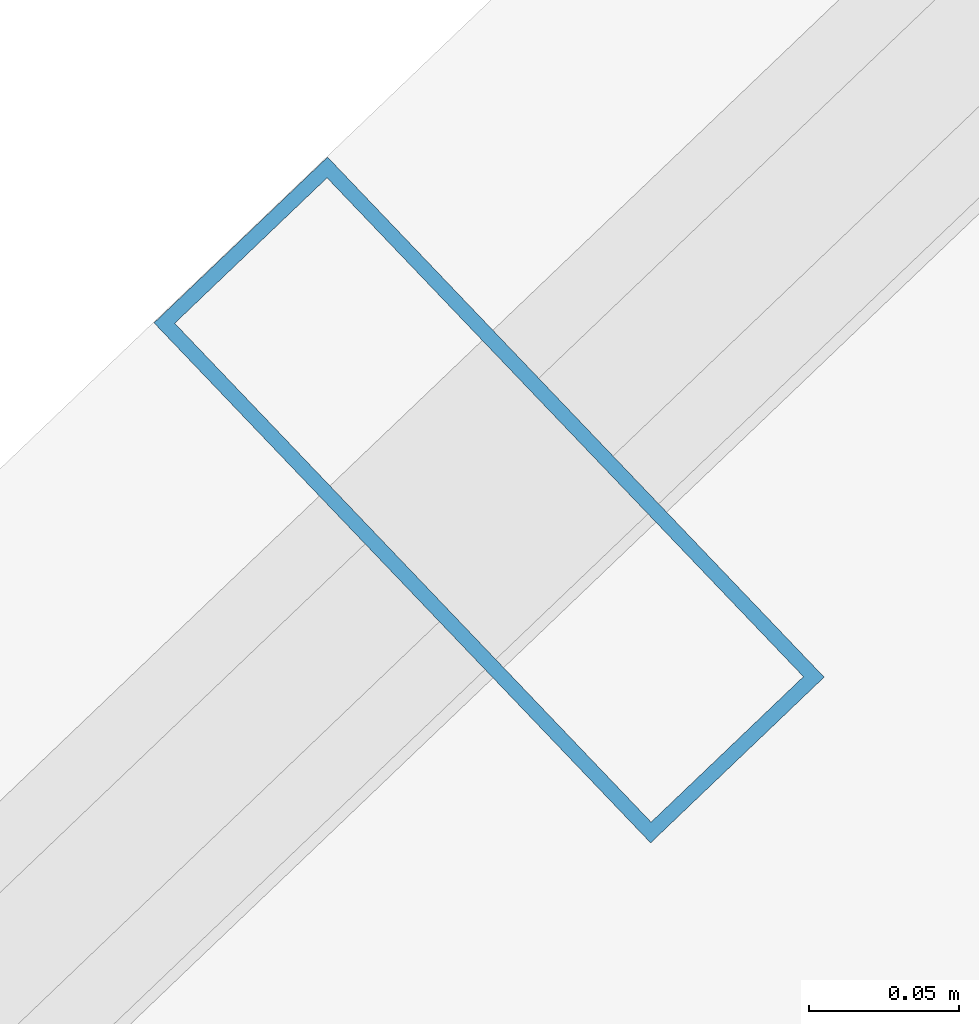
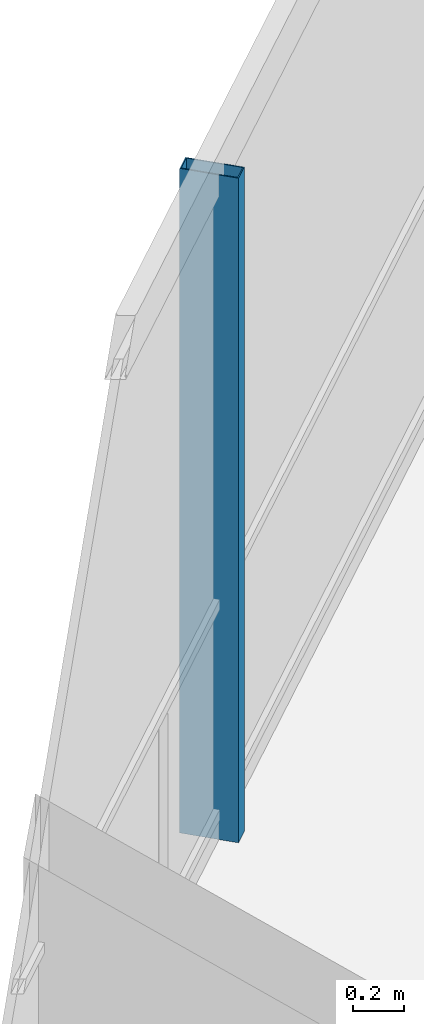
# One storey, part 8 of 19: 1 member, 1 element without a shape of its own.
"""IFC4 building model written with IfcOpenShell, lengths in metres."""

import ifcopenshell
import ifcopenshell.guid

model = None  # the IFC model being written
_history = None  # IfcOwnerHistory: only IFC2X3 demands one
_inside = {}  # id of a spatial element -> (the spatial element, [elements in it])
_under = {}  # id of a project, library or spatial element -> (it, [spatial elements below it])
_declared = {}  # id of a project -> (the project, [libraries it declares])
_typed = {}  # id of a type object -> (the type object, [elements of that type])
_made_of = {}  # id of a material, layer set ... -> (it, [elements and type objects made of it])


def new_model(schema):
    """Start an empty IFC model of exactly this schema.

    Asked for "IFC4X3", IfcOpenShell would pick the latest addendum, in which some entities
    have other attributes; the version numbers below select the first issue.
    IFC2X3 requires an IfcOwnerHistory on every rooted entity: one is made here for all.
    """
    global model, _history
    if schema == "IFC4X3":
        model = ifcopenshell.file(schema_version=(4, 3, 0, 0))
    else:
        model = ifcopenshell.file(schema=schema)
    _inside.clear()
    _under.clear()
    _declared.clear()
    _typed.clear()
    _made_of.clear()
    _history = None
    if model.schema == "IFC2X3":
        org = make("IfcOrganization", Name="unknown")
        user = make(
            "IfcPersonAndOrganization",
            ThePerson=make("IfcPerson", FamilyName="unknown"),
            TheOrganization=org,
        )
        app = make(
            "IfcApplication",
            ApplicationDeveloper=org,
            Version="unknown",
            ApplicationFullName="unknown",
            ApplicationIdentifier="unknown",
        )
        _history = make(
            "IfcOwnerHistory",
            OwningUser=user,
            OwningApplication=app,
            ChangeAction="ADDED",
            CreationDate=0,
        )
    return model


def make(cls, **values):
    """One entity of the class cls with the attributes given. An attribute that is None is left unset."""
    return model.create_entity(
        cls, **{name: value for name, value in values.items() if value is not None}
    )


def rooted(cls, **values):
    """An entity with a GlobalId (a new one), such as an element, a storey or a relation."""
    return make(cls, GlobalId=ifcopenshell.guid.new(), OwnerHistory=_history, **values)


def si_unit(unit_type, name, prefix=None):
    """IfcSIUnit, for example si_unit("LENGTHUNIT", "METRE", prefix="MILLI")."""
    return make("IfcSIUnit", UnitType=unit_type, Prefix=prefix, Name=name)


def assignment(units):
    """IfcUnitAssignment: the units of a project."""
    return None if units is None else make("IfcUnitAssignment", Units=units)


def point(xyz):
    """IfcCartesianPoint."""
    return None if xyz is None else make("IfcCartesianPoint", Coordinates=xyz)


def direction(xyz):
    """IfcDirection."""
    return None if xyz is None else make("IfcDirection", DirectionRatios=xyz)


def frame(location, z_axis=None, x_axis=None):
    """IfcAxis2Placement3D, a coordinate frame: its origin and axes. An axis left out is left unset."""
    return make(
        "IfcAxis2Placement3D",
        Location=point(location),
        Axis=direction(z_axis),
        RefDirection=direction(x_axis),
    )


def frame_2d(location, x_axis=None):
    """IfcAxis2Placement2D, a coordinate frame in the plane: its origin and x axis."""
    return make(
        "IfcAxis2Placement2D", Location=point(location), RefDirection=direction(x_axis)
    )


def origin():
    """The frame at (0, 0, 0) with its axes left unset."""
    return frame((0.0, 0.0, 0.0))


def origin_2d():
    """The frame at (0, 0) in the plane with its x axis left unset."""
    return frame_2d((0.0, 0.0))


def place(relative_to, where):
    """IfcLocalPlacement: puts the frame where relative to a parent placement (None: the world)."""
    return make(
        "IfcLocalPlacement", PlacementRelTo=relative_to, RelativePlacement=where
    )


def context(
    kind, dimensions, precision=None, world=None, true_north=None, identifier=None
):
    """IfcGeometricRepresentationContext, for example the 3D "Model" context."""
    return make(
        "IfcGeometricRepresentationContext",
        ContextIdentifier=identifier,
        ContextType=kind,
        CoordinateSpaceDimension=dimensions,
        Precision=precision,
        WorldCoordinateSystem=world,
        TrueNorth=true_north,
    )


def subcontext(parent, identifier, kind, view, scale=None):
    """IfcGeometricRepresentationSubContext, for example "Body" below "Model"."""
    return make(
        "IfcGeometricRepresentationSubContext",
        ContextIdentifier=identifier,
        ContextType=kind,
        ParentContext=parent,
        TargetScale=scale,
        TargetView=view,
    )


def project(units=None, contexts=None):
    """IfcProject with its units and contexts."""
    return rooted(
        "IfcProject",
        Name="project",
        RepresentationContexts=contexts,
        UnitsInContext=assignment(units),
    )


def spatial(cls, under=None, at=None, **own):
    """A site, building, storey or space (cls), placed at a placement, below another one or the project."""
    s = rooted(cls, ObjectPlacement=at, **own)
    if under is not None:
        _under.setdefault(under.id(), (under, []))[1].append(s)
    return s


def profile(cls, at=None, kind="AREA", **sizes):
    """A parametric profile (cls). Its sizes go by their IFC names, for example OverallWidth=200.0."""
    return make(cls, ProfileType=kind, Position=at, **sizes)


def hollow_rectangle(**sizes):
    """IfcRectangleHollowProfileDef."""
    return profile("IfcRectangleHollowProfileDef", **sizes)


def extrude(swept, where, along, depth):
    """IfcExtrudedAreaSolid: the profile swept, set in the frame where, extruded along a direction by depth."""
    return make(
        "IfcExtrudedAreaSolid",
        SweptArea=swept,
        Position=where,
        ExtrudedDirection=direction(along),
        Depth=depth,
    )


def shape(context_of_items, identifier, shape_type, items):
    """IfcShapeRepresentation: the items that make up one representation, for example the "Body"."""
    return make(
        "IfcShapeRepresentation",
        ContextOfItems=context_of_items,
        RepresentationIdentifier=identifier,
        RepresentationType=shape_type,
        Items=items,
    )


def material(Name=None, Category=None):
    """IfcMaterial."""
    return make("IfcMaterial", Name=Name, Category=Category)


def layer(
    of_material, thickness, ventilated=None, Name=None, Category=None, Priority=None
):
    """IfcMaterialLayer: one layer of a wall or slab, of a material (None: an air gap)."""
    return make(
        "IfcMaterialLayer",
        Material=of_material,
        LayerThickness=thickness,
        IsVentilated=ventilated,
        Name=Name,
        Category=Category,
        Priority=Priority,
    )


def layer_set(layers, Name=None):
    """IfcMaterialLayerSet."""
    return make("IfcMaterialLayerSet", MaterialLayers=layers, LayerSetName=Name)


def material_profile(
    of_material, cross_section, Name=None, Category=None, Priority=None
):
    """IfcMaterialProfile: a cross section and its material."""
    return make(
        "IfcMaterialProfile",
        Name=Name,
        Material=of_material,
        Profile=cross_section,
        Priority=Priority,
        Category=Category,
    )


def profile_set(profiles, Name=None, composite=None):
    """IfcMaterialProfileSet."""
    return make(
        "IfcMaterialProfileSet",
        Name=Name,
        MaterialProfiles=profiles,
        CompositeProfile=composite,
    )


def made_of(thing, what):
    """Note that an element or type object is made of a material, layer set ...; save() writes the relation."""
    if what is not None:
        _made_of.setdefault(what.id(), (what, []))[1].append(thing)
    return thing


def type_object(cls, material=None, **own):
    """A type object (cls), such as IfcWallType, which elements share."""
    return made_of(rooted(cls, **own), material)


def element(
    cls,
    number,
    at=None,
    inside=None,
    cuts=None,
    type_object=None,
    material=None,
    context=None,
    identifier="Body",
    shape_type=None,
    held_by="IfcProductDefinitionShape",
    body=None,
    shapes=None,
    **own,
):
    """One element of the class cls, such as IfcWall. Its Tag is "e" and its number.

    at: its placement. inside: the storey or other place that contains it. cuts: it is an
    opening in that element (IfcRelVoidsElement). A single representation is given by context,
    identifier, shape_type and body (its items); several are given by shapes. held_by: the class
    of the entity that holds the representations. save() writes the other relations.
    """
    e = rooted(cls, Tag="e%d" % number, ObjectPlacement=at, **own)
    if body is not None:
        shapes = [shape(context, identifier, shape_type, body)]
    if shapes is not None:
        e.Representation = make(held_by, Representations=shapes)
    if inside is not None:
        _inside.setdefault(inside.id(), (inside, []))[1].append(e)
    if cuts is not None:
        rooted(
            "IfcRelVoidsElement", RelatingBuildingElement=cuts, RelatedOpeningElement=e
        )
    if type_object is not None:
        _typed.setdefault(type_object.id(), (type_object, []))[1].append(e)
    return made_of(e, material)


def aggregate(whole, parts):
    """IfcRelAggregates: a whole, such as a stair, and the parts it consists of."""
    return rooted("IfcRelAggregates", RelatingObject=whole, RelatedObjects=parts)


def save(model, path):
    """Write the relations noted so far, then the file.

    IfcRelAggregates (storeys below a building ...), IfcRelContainedInSpatialStructure (elements
    in a storey), IfcRelDefinesByType, IfcRelAssociatesMaterial and IfcRelDeclares: one each for
    every whole, place, type object, material and project.
    """
    for whole, parts in _under.values():
        aggregate(whole, parts)
    for where, things in _inside.values():
        rooted(
            "IfcRelContainedInSpatialStructure",
            RelatedElements=things,
            RelatingStructure=where,
        )
    for kind, things in _typed.values():
        rooted("IfcRelDefinesByType", RelatedObjects=things, RelatingType=kind)
    for what, things in _made_of.values():
        rooted("IfcRelAssociatesMaterial", RelatedObjects=things, RelatingMaterial=what)
    for by, libraries in _declared.values():
        rooted("IfcRelDeclares", RelatingContext=by, RelatedDefinitions=libraries)
    model.write(path)


model = new_model("IFC4")

# Units and contexts
model_context = context("Model", 3, precision=1e-05, world=origin(), true_north=direction((0.0, 1.0)))
body_context = subcontext(model_context, "Body", "Model", "MODEL_VIEW")
ifc_project = project(units=[si_unit("LENGTHUNIT", "METRE"), si_unit("AREAUNIT", "SQUARE_METRE"), si_unit("VOLUMEUNIT", "CUBIC_METRE"), si_unit("PLANEANGLEUNIT", "RADIAN"), si_unit("MASSUNIT", "GRAM", prefix="KILO")], contexts=[model_context])

# Site, building, storey
site_placement = place(None, origin())
site = spatial("IfcSite", under=ifc_project, at=site_placement, CompositionType="ELEMENT")
building_placement = place(site_placement, origin())
building = spatial("IfcBuilding", under=site, at=building_placement, Name="Qarnah Convention Tower", CompositionType="ELEMENT")
storey_placement = place(building_placement, frame((0.0, 0.0, 231.89990234375)))
storey = spatial("IfcBuildingStorey", under=building, at=storey_placement, Name="L62", CompositionType="ELEMENT", Elevation=231.89990234375)

# Curtain wall, member
ifc_material_1 = material(Name="Tempered Low-E dark glass", Category="glass")
ifc_layer = layer(ifc_material_1, 0.176025390625)
ifc_layer_set = layer_set([ifc_layer], Name="Tempered Low-E dark glass")
curtain_wall_type = type_object("IfcCurtainWallType", Name="CWS-05", PredefinedType="NOTDEFINED", material=ifc_layer_set)
curtain_wall_placement = place(storey_placement, origin())
curtain_wall = element("IfcCurtainWall", 1, at=curtain_wall_placement, inside=storey, type_object=curtain_wall_type, Name="L62 unitised curtain wall CW-L62-F1", PredefinedType="NOTDEFINED")
ifc_material_2 = material(Name="Black anodised aluminium", Category="aluminium")
ifc_material_profile = material_profile(ifc_material_2, hollow_rectangle(XDim=0.080078125, YDim=0.239990234375, WallThickness=0.0048828125, at=origin_2d()), Name="MUL-80X240")
ifc_profile_set = profile_set([ifc_material_profile], Name="Black anodised aluminium")
member_type = type_object("IfcMemberType", Name="MUL-T5", PredefinedType="MULLION", material=ifc_profile_set)
member_placement = place(storey_placement, frame((28.623291015625, 39.518310546875, 0.0), z_axis=(0.0, 0.0, 1.0), x_axis=(0.723193439015, 0.6906455312, 0.0)))
member = element("IfcMember", 2, at=member_placement, type_object=member_type, Name="CW-L62-F1 mullion 4", PredefinedType="MULLION", context=body_context, shape_type="SweptSolid", body=[
    extrude(hollow_rectangle(XDim=0.080078125, YDim=0.239990234375, WallThickness=0.0048828125, at=origin_2d()), origin(), (0.0, 0.0, 1.0), 3.18017578125),
])
aggregate(curtain_wall, [member])

save(model, "model.ifc")
